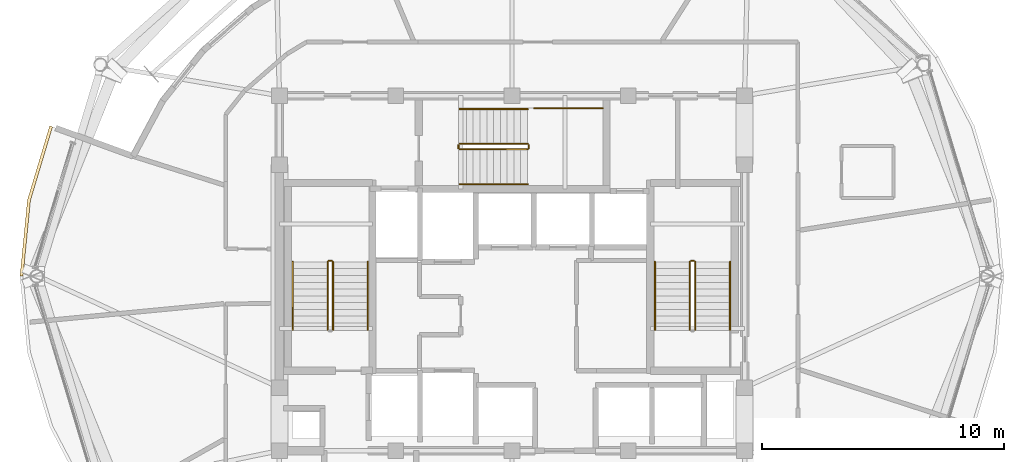
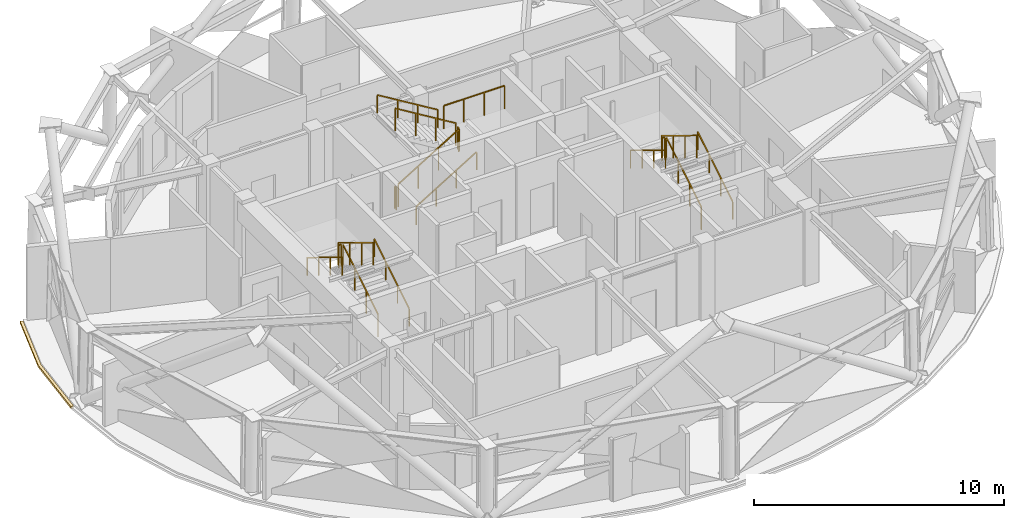
# One storey, part 14 of 15: 17 railings, 1 covering.
"""IFC4 building model written with IfcOpenShell, lengths in metres."""

from ifc_helpers import new_model, si_unit, direction, frame, origin, origin_2d, place, context, subcontext, project, spatial, polyline, rectangle, outline, extrude, material, layer, layer_set, type_object, element, save


model = new_model("IFC4")

# Units and contexts
model_context = context("Model", 3, precision=1e-05, world=origin(), true_north=direction((0.0, 1.0)))
body_context = subcontext(model_context, "Body", "Model", "MODEL_VIEW")
ifc_project = project(units=[si_unit("LENGTHUNIT", "METRE"), si_unit("AREAUNIT", "SQUARE_METRE"), si_unit("VOLUMEUNIT", "CUBIC_METRE"), si_unit("PLANEANGLEUNIT", "RADIAN"), si_unit("MASSUNIT", "GRAM", prefix="KILO")], contexts=[model_context])

# Site, building, storey
site_placement = place(None, origin())
site = spatial("IfcSite", under=ifc_project, at=site_placement, CompositionType="ELEMENT")
building_placement = place(site_placement, origin())
building = spatial("IfcBuilding", under=site, at=building_placement, Name="Vantalir Tower", CompositionType="ELEMENT")
storey_placement = place(building_placement, frame((0.0, 0.0, 275.10009765625)))
storey = spatial("IfcBuildingStorey", under=building, at=storey_placement, Name="L69", CompositionType="ELEMENT", Elevation=275.10009765625)

# Covering
ifc_material_1 = material(Name="Anodised champagne aluminium sill fascia", Category="aluminium")
ifc_layer = layer(ifc_material_1, 0.125)
ifc_layer_set = layer_set([ifc_layer], Name="Anodised champagne aluminium sill fascia")
covering_type = type_object("IfcCoveringType", Name="COV-SLAB-FASCIA-125", PredefinedType="CLADDING", material=ifc_layer_set)
covering_placement = place(storey_placement, frame((0.0, 0.0, -0.18017578125)))
element("IfcCovering", 1, at=covering_placement, inside=storey, type_object=covering_type, Name="L69 Perimeter Slab-Edge Sill Fascia 06", PredefinedType="CLADDING", context=body_context, shape_type="SweptSolid", body=[
    extrude(outline(polyline([(12.419921875, 31.205078125), (11.5029296875, 28.14990234375), (11.195068359375, 25.0), (11.320068359375, 25.0), (11.626953125, 28.12890625), (12.537109375, 31.1630859375), (12.419921875, 31.205078125)])), origin(), (0.0, 0.0, 1.0), 0.10498046875),
])

# Railings
ifc_material_2 = material(Name="Anodised aluminium and stainless steel guard", Category="steel")
railing_type_1 = type_object("IfcRailingType", Name="RAL-GUARD-1120", PredefinedType="GUARDRAIL", material=ifc_material_2)
railing_1_placement = place(storey_placement, frame((24.110107421875, 22.7900390625, 0.17041015625)))
element("IfcRailing", 2, at=railing_1_placement, inside=storey, type_object=railing_type_1, Name="L69 ST1 stair guard 1", PredefinedType="GUARDRAIL", context=body_context, shape_type="SweptSolid", body=[
    extrude(rectangle(XDim=0.048095703125, YDim=0.048095703125, at=origin_2d()), frame((0.0, 0.0, 1.09619140625), z_axis=(0.0, 0.854169791009, 0.51999420009), x_axis=(-1.0, 0.0, 0.0)), (0.0, 0.0, 1.0), 3.278076171875),
    extrude(rectangle(XDim=0.0419921875, YDim=0.0419921875, at=origin_2d()), origin(), (0.0, 0.0, 1.0), 1.072021484375),
    extrude(rectangle(XDim=0.0419921875, YDim=0.0419921875, at=origin_2d()), frame((0.0, 0.933349609375, 0.568115234375)), (0.0, 0.0, 1.0), 1.072021484375),
    extrude(rectangle(XDim=0.0419921875, YDim=0.0419921875, at=origin_2d()), frame((0.0, 1.86669921875, 1.136474609375)), (0.0, 0.0, 1.0), 1.072021484375),
    extrude(rectangle(XDim=0.0419921875, YDim=0.0419921875, at=origin_2d()), frame((0.0, 2.800048828125, 1.70458984375)), (0.0, 0.0, 1.0), 1.072021484375),
])
railing_2_placement = place(storey_placement, frame((24.06005859375, 25.639892578125, 1.875)))
element("IfcRailing", 3, at=railing_2_placement, inside=storey, type_object=railing_type_1, Name="L69 ST1 stair guard 2", PredefinedType="GUARDRAIL", context=body_context, shape_type="SweptSolid", body=[
    extrude(rectangle(XDim=0.048095703125, YDim=0.048095703125, at=origin_2d()), frame((0.0, 0.0, 1.09619140625), z_axis=(-1.0, 0.0, 0.0), x_axis=(0.0, -1.0, 0.0)), (0.0, 0.0, 1.0), 0.1201171875),
    extrude(rectangle(XDim=0.0419921875, YDim=0.0419921875, at=origin_2d()), origin(), (0.0, 0.0, 1.0), 1.072021484375),
    extrude(rectangle(XDim=0.0419921875, YDim=0.0419921875, at=origin_2d()), frame((-0.1201171875, 0.0, 0.0)), (0.0, 0.0, 1.0), 1.072021484375),
])
railing_3_placement = place(storey_placement, frame((23.889892578125, 25.590087890625, 2.04541015625)))
element("IfcRailing", 4, at=railing_3_placement, inside=storey, type_object=railing_type_1, Name="L69 ST1 stair guard 3", PredefinedType="GUARDRAIL", context=body_context, shape_type="SweptSolid", body=[
    extrude(rectangle(XDim=0.048095703125, YDim=0.048095703125, at=origin_2d()), frame((0.0, 0.0, 1.09619140625), z_axis=(0.0, -0.854169791009, 0.51999420009), x_axis=(1.0, 0.0, 0.0)), (0.0, 0.0, 1.0), 3.278076171875),
    extrude(rectangle(XDim=0.0419921875, YDim=0.0419921875, at=origin_2d()), origin(), (0.0, 0.0, 1.0), 1.072021484375),
    extrude(rectangle(XDim=0.0419921875, YDim=0.0419921875, at=origin_2d()), frame((0.0, -0.933349609375, 0.568115234375)), (0.0, 0.0, 1.0), 1.072021484375),
    extrude(rectangle(XDim=0.0419921875, YDim=0.0419921875, at=origin_2d()), frame((0.0, -1.86669921875, 1.136474609375)), (0.0, 0.0, 1.0), 1.072021484375),
    extrude(rectangle(XDim=0.0419921875, YDim=0.0419921875, at=origin_2d()), frame((0.0, -2.800048828125, 1.70458984375)), (0.0, 0.0, 1.0), 1.072021484375),
])
railing_4_placement = place(storey_placement, frame((39.06005859375, 22.7900390625, 0.17041015625)))
element("IfcRailing", 5, at=railing_4_placement, inside=storey, type_object=railing_type_1, Name="L69 ST2 stair guard 1", PredefinedType="GUARDRAIL", context=body_context, shape_type="SweptSolid", body=[
    extrude(rectangle(XDim=0.048095703125, YDim=0.048095703125, at=origin_2d()), frame((0.0, 0.0, 1.09619140625), z_axis=(0.0, 0.854169791009, 0.51999420009), x_axis=(-1.0, 0.0, 0.0)), (0.0, 0.0, 1.0), 3.278076171875),
    extrude(rectangle(XDim=0.0419921875, YDim=0.0419921875, at=origin_2d()), origin(), (0.0, 0.0, 1.0), 1.072021484375),
    extrude(rectangle(XDim=0.0419921875, YDim=0.0419921875, at=origin_2d()), frame((0.0, 0.933349609375, 0.568115234375)), (0.0, 0.0, 1.0), 1.072021484375),
    extrude(rectangle(XDim=0.0419921875, YDim=0.0419921875, at=origin_2d()), frame((0.0, 1.86669921875, 1.136474609375)), (0.0, 0.0, 1.0), 1.072021484375),
    extrude(rectangle(XDim=0.0419921875, YDim=0.0419921875, at=origin_2d()), frame((0.0, 2.800048828125, 1.70458984375)), (0.0, 0.0, 1.0), 1.072021484375),
])
railing_5_placement = place(storey_placement, frame((39.010009765625, 25.639892578125, 1.875)))
element("IfcRailing", 6, at=railing_5_placement, inside=storey, type_object=railing_type_1, Name="L69 ST2 stair guard 2", PredefinedType="GUARDRAIL", context=body_context, shape_type="SweptSolid", body=[
    extrude(rectangle(XDim=0.048095703125, YDim=0.048095703125, at=origin_2d()), frame((0.0, 0.0, 1.09619140625), z_axis=(-1.0, 0.0, 0.0), x_axis=(0.0, -1.0, 0.0)), (0.0, 0.0, 1.0), 0.1201171875),
    extrude(rectangle(XDim=0.0419921875, YDim=0.0419921875, at=origin_2d()), origin(), (0.0, 0.0, 1.0), 1.072021484375),
    extrude(rectangle(XDim=0.0419921875, YDim=0.0419921875, at=origin_2d()), frame((-0.1201171875, 0.0, 0.0)), (0.0, 0.0, 1.0), 1.072021484375),
])
railing_6_placement = place(storey_placement, frame((38.840087890625, 25.590087890625, 2.04541015625)))
element("IfcRailing", 7, at=railing_6_placement, inside=storey, type_object=railing_type_1, Name="L69 ST2 stair guard 3", PredefinedType="GUARDRAIL", context=body_context, shape_type="SweptSolid", body=[
    extrude(rectangle(XDim=0.048095703125, YDim=0.048095703125, at=origin_2d()), frame((0.0, 0.0, 1.09619140625), z_axis=(0.0, -0.854169791009, 0.51999420009), x_axis=(1.0, 0.0, 0.0)), (0.0, 0.0, 1.0), 3.278076171875),
    extrude(rectangle(XDim=0.0419921875, YDim=0.0419921875, at=origin_2d()), origin(), (0.0, 0.0, 1.0), 1.072021484375),
    extrude(rectangle(XDim=0.0419921875, YDim=0.0419921875, at=origin_2d()), frame((0.0, -0.933349609375, 0.568115234375)), (0.0, 0.0, 1.0), 1.072021484375),
    extrude(rectangle(XDim=0.0419921875, YDim=0.0419921875, at=origin_2d()), frame((0.0, -1.86669921875, 1.136474609375)), (0.0, 0.0, 1.0), 1.072021484375),
    extrude(rectangle(XDim=0.0419921875, YDim=0.0419921875, at=origin_2d()), frame((0.0, -2.800048828125, 1.70458984375)), (0.0, 0.0, 1.0), 1.072021484375),
])
railing_7_placement = place(storey_placement, frame((29.340087890625, 30.239990234375, 0.17041015625)))
element("IfcRailing", 8, at=railing_7_placement, inside=storey, type_object=railing_type_1, Name="L69 ST3 stair guard 1", PredefinedType="GUARDRAIL", context=body_context, shape_type="SweptSolid", body=[
    extrude(rectangle(XDim=0.048095703125, YDim=0.048095703125, at=origin_2d()), frame((0.0, 0.0, 1.09619140625), z_axis=(0.854149651119, 0.0, 0.520027281489), x_axis=(0.0, 1.0, 0.0)), (0.0, 0.0, 1.0), 3.27783203125),
    extrude(rectangle(XDim=0.0419921875, YDim=0.0419921875, at=origin_2d()), origin(), (0.0, 0.0, 1.0), 1.072021484375),
    extrude(rectangle(XDim=0.0419921875, YDim=0.0419921875, at=origin_2d()), frame((0.933349609375, 0.0, 0.568115234375)), (0.0, 0.0, 1.0), 1.072021484375),
    extrude(rectangle(XDim=0.0419921875, YDim=0.0419921875, at=origin_2d()), frame((1.866455078125, 0.0, 1.136474609375)), (0.0, 0.0, 1.0), 1.072021484375),
    extrude(rectangle(XDim=0.0419921875, YDim=0.0419921875, at=origin_2d()), frame((2.7998046875, 0.0, 1.70458984375)), (0.0, 0.0, 1.0), 1.072021484375),
])
railing_8_placement = place(storey_placement, frame((32.18994140625, 30.2900390625, 1.875)))
element("IfcRailing", 9, at=railing_8_placement, inside=storey, type_object=railing_type_1, Name="L69 ST3 stair guard 2", PredefinedType="GUARDRAIL", context=body_context, shape_type="SweptSolid", body=[
    extrude(rectangle(XDim=0.048095703125, YDim=0.048095703125, at=origin_2d()), frame((0.0, 0.0, 1.09619140625), z_axis=(0.0, 1.0, 0.0), x_axis=(-1.0, 0.0, 0.0)), (0.0, 0.0, 1.0), 0.119873046875),
    extrude(rectangle(XDim=0.0419921875, YDim=0.0419921875, at=origin_2d()), origin(), (0.0, 0.0, 1.0), 1.072021484375),
    extrude(rectangle(XDim=0.0419921875, YDim=0.0419921875, at=origin_2d()), frame((0.0, 0.119873046875, 0.0)), (0.0, 0.0, 1.0), 1.072021484375),
])
railing_9_placement = place(storey_placement, frame((32.139892578125, 30.4599609375, 2.04541015625)))
element("IfcRailing", 10, at=railing_9_placement, inside=storey, type_object=railing_type_1, Name="L69 ST3 stair guard 3", PredefinedType="GUARDRAIL", context=body_context, shape_type="SweptSolid", body=[
    extrude(rectangle(XDim=0.048095703125, YDim=0.048095703125, at=origin_2d()), frame((0.0, 0.0, 1.09619140625), z_axis=(-0.854149651119, 0.0, 0.520027281489), x_axis=(0.0, -1.0, 0.0)), (0.0, 0.0, 1.0), 3.27783203125),
    extrude(rectangle(XDim=0.0419921875, YDim=0.0419921875, at=origin_2d()), origin(), (0.0, 0.0, 1.0), 1.072021484375),
    extrude(rectangle(XDim=0.0419921875, YDim=0.0419921875, at=origin_2d()), frame((-0.933349609375, 0.0, 0.568115234375)), (0.0, 0.0, 1.0), 1.072021484375),
    extrude(rectangle(XDim=0.0419921875, YDim=0.0419921875, at=origin_2d()), frame((-1.866455078125, 0.0, 1.136474609375)), (0.0, 0.0, 1.0), 1.072021484375),
    extrude(rectangle(XDim=0.0419921875, YDim=0.0419921875, at=origin_2d()), frame((-2.7998046875, 0.0, 1.70458984375)), (0.0, 0.0, 1.0), 1.072021484375),
])
railing_10_placement = place(storey_placement, frame((29.2900390625, 30.2900390625, 0.0)))
element("IfcRailing", 11, at=railing_10_placement, inside=storey, type_object=railing_type_1, Name="L69 ST3 stair guard 4", PredefinedType="GUARDRAIL", context=body_context, shape_type="SweptSolid", body=[
    extrude(rectangle(XDim=0.048095703125, YDim=0.048095703125, at=origin_2d()), frame((0.0, 0.0, 1.09619140625), z_axis=(0.0, 1.0, 0.0), x_axis=(-1.0, 0.0, 0.0)), (0.0, 0.0, 1.0), 0.119873046875),
    extrude(rectangle(XDim=0.0419921875, YDim=0.0419921875, at=origin_2d()), origin(), (0.0, 0.0, 1.0), 1.072021484375),
    extrude(rectangle(XDim=0.0419921875, YDim=0.0419921875, at=origin_2d()), frame((0.0, 0.119873046875, 0.0)), (0.0, 0.0, 1.0), 1.072021484375),
])
railing_11_placement = place(storey_placement, frame((32.419921875, 31.929931640625, 1.875)))
element("IfcRailing", 12, at=railing_11_placement, inside=storey, type_object=railing_type_1, Name="L69 Stair ST3 Half-Landing Slot Guard", PredefinedType="GUARDRAIL", context=body_context, shape_type="SweptSolid", body=[
    extrude(rectangle(XDim=0.048095703125, YDim=0.048095703125, at=origin_2d()), frame((0.0, 0.0, 1.1259765625), z_axis=(1.0, 0.0, 0.0), x_axis=(0.0, 1.0, 0.0)), (0.0, 0.0, 1.0), 2.820068359375),
    extrude(rectangle(XDim=0.0419921875, YDim=0.0419921875, at=origin_2d()), origin(), (0.0, 0.0, 1.0), 1.101806640625),
    extrude(rectangle(XDim=0.0419921875, YDim=0.0419921875, at=origin_2d()), frame((0.93994140625, 0.0, 0.0)), (0.0, 0.0, 1.0), 1.101806640625),
    extrude(rectangle(XDim=0.0419921875, YDim=0.0419921875, at=origin_2d()), frame((1.880126953125, 0.0, 0.0)), (0.0, 0.0, 1.0), 1.101806640625),
    extrude(rectangle(XDim=0.0419921875, YDim=0.0419921875, at=origin_2d()), frame((2.820068359375, 0.0, 0.0)), (0.0, 0.0, 1.0), 1.101806640625),
])
ifc_material_3 = material(Name="Brushed stainless steel tubular handrail", Category="steel")
railing_type_2 = type_object("IfcRailingType", Name="RAL-HANDRAIL-900", PredefinedType="HANDRAIL", material=ifc_material_3)
railing_12_placement = place(storey_placement, frame((25.550048828125, 22.7900390625, 0.17041015625)))
element("IfcRailing", 13, at=railing_12_placement, inside=storey, type_object=railing_type_2, Name="L69 ST1 stair handrail 1", PredefinedType="HANDRAIL", context=body_context, shape_type="SweptSolid", body=[
    extrude(rectangle(XDim=0.048095703125, YDim=0.048095703125, at=origin_2d()), frame((0.0, 0.0, 0.8759765625), z_axis=(0.0, 0.854169791009, 0.51999420009), x_axis=(-1.0, 0.0, 0.0)), (0.0, 0.0, 1.0), 3.278076171875),
    extrude(rectangle(XDim=0.0419921875, YDim=0.0419921875, at=origin_2d()), origin(), (0.0, 0.0, 1.0), 0.851806640625),
    extrude(rectangle(XDim=0.0419921875, YDim=0.0419921875, at=origin_2d()), frame((0.0, 0.933349609375, 0.568115234375)), (0.0, 0.0, 1.0), 0.851806640625),
    extrude(rectangle(XDim=0.0419921875, YDim=0.0419921875, at=origin_2d()), frame((0.0, 1.86669921875, 1.136474609375)), (0.0, 0.0, 1.0), 0.851806640625),
    extrude(rectangle(XDim=0.0419921875, YDim=0.0419921875, at=origin_2d()), frame((0.0, 2.800048828125, 1.70458984375)), (0.0, 0.0, 1.0), 0.851806640625),
])
railing_13_placement = place(storey_placement, frame((22.449951171875, 25.590087890625, 2.04541015625)))
element("IfcRailing", 14, at=railing_13_placement, inside=storey, type_object=railing_type_2, Name="L69 ST1 stair handrail 2", PredefinedType="HANDRAIL", context=body_context, shape_type="SweptSolid", body=[
    extrude(rectangle(XDim=0.048095703125, YDim=0.048095703125, at=origin_2d()), frame((0.0, 0.0, 0.8759765625), z_axis=(0.0, -0.854169791009, 0.51999420009), x_axis=(1.0, 0.0, 0.0)), (0.0, 0.0, 1.0), 3.278076171875),
    extrude(rectangle(XDim=0.0419921875, YDim=0.0419921875, at=origin_2d()), origin(), (0.0, 0.0, 1.0), 0.851806640625),
    extrude(rectangle(XDim=0.0419921875, YDim=0.0419921875, at=origin_2d()), frame((0.0, -0.933349609375, 0.568115234375)), (0.0, 0.0, 1.0), 0.851806640625),
    extrude(rectangle(XDim=0.0419921875, YDim=0.0419921875, at=origin_2d()), frame((0.0, -1.86669921875, 1.136474609375)), (0.0, 0.0, 1.0), 0.851806640625),
    extrude(rectangle(XDim=0.0419921875, YDim=0.0419921875, at=origin_2d()), frame((0.0, -2.800048828125, 1.70458984375)), (0.0, 0.0, 1.0), 0.851806640625),
])
railing_14_placement = place(storey_placement, frame((40.5, 22.7900390625, 0.17041015625)))
element("IfcRailing", 15, at=railing_14_placement, inside=storey, type_object=railing_type_2, Name="L69 ST2 stair handrail 1", PredefinedType="HANDRAIL", context=body_context, shape_type="SweptSolid", body=[
    extrude(rectangle(XDim=0.048095703125, YDim=0.048095703125, at=origin_2d()), frame((0.0, 0.0, 0.8759765625), z_axis=(0.0, 0.854169791009, 0.51999420009), x_axis=(-1.0, 0.0, 0.0)), (0.0, 0.0, 1.0), 3.278076171875),
    extrude(rectangle(XDim=0.0419921875, YDim=0.0419921875, at=origin_2d()), origin(), (0.0, 0.0, 1.0), 0.851806640625),
    extrude(rectangle(XDim=0.0419921875, YDim=0.0419921875, at=origin_2d()), frame((0.0, 0.933349609375, 0.568115234375)), (0.0, 0.0, 1.0), 0.851806640625),
    extrude(rectangle(XDim=0.0419921875, YDim=0.0419921875, at=origin_2d()), frame((0.0, 1.86669921875, 1.136474609375)), (0.0, 0.0, 1.0), 0.851806640625),
    extrude(rectangle(XDim=0.0419921875, YDim=0.0419921875, at=origin_2d()), frame((0.0, 2.800048828125, 1.70458984375)), (0.0, 0.0, 1.0), 0.851806640625),
])
railing_15_placement = place(storey_placement, frame((37.39990234375, 25.590087890625, 2.04541015625)))
element("IfcRailing", 16, at=railing_15_placement, inside=storey, type_object=railing_type_2, Name="L69 ST2 stair handrail 2", PredefinedType="HANDRAIL", context=body_context, shape_type="SweptSolid", body=[
    extrude(rectangle(XDim=0.048095703125, YDim=0.048095703125, at=origin_2d()), frame((0.0, 0.0, 0.8759765625), z_axis=(0.0, -0.854169791009, 0.51999420009), x_axis=(1.0, 0.0, 0.0)), (0.0, 0.0, 1.0), 3.278076171875),
    extrude(rectangle(XDim=0.0419921875, YDim=0.0419921875, at=origin_2d()), origin(), (0.0, 0.0, 1.0), 0.851806640625),
    extrude(rectangle(XDim=0.0419921875, YDim=0.0419921875, at=origin_2d()), frame((0.0, -0.933349609375, 0.568115234375)), (0.0, 0.0, 1.0), 0.851806640625),
    extrude(rectangle(XDim=0.0419921875, YDim=0.0419921875, at=origin_2d()), frame((0.0, -1.86669921875, 1.136474609375)), (0.0, 0.0, 1.0), 0.851806640625),
    extrude(rectangle(XDim=0.0419921875, YDim=0.0419921875, at=origin_2d()), frame((0.0, -2.800048828125, 1.70458984375)), (0.0, 0.0, 1.0), 0.851806640625),
])
railing_16_placement = place(storey_placement, frame((29.340087890625, 28.800048828125, 0.17041015625)))
element("IfcRailing", 17, at=railing_16_placement, inside=storey, type_object=railing_type_2, Name="L69 ST3 stair handrail 1", PredefinedType="HANDRAIL", context=body_context, shape_type="SweptSolid", body=[
    extrude(rectangle(XDim=0.048095703125, YDim=0.048095703125, at=origin_2d()), frame((0.0, 0.0, 0.8759765625), z_axis=(0.854149651119, 0.0, 0.520027281489), x_axis=(0.0, 1.0, 0.0)), (0.0, 0.0, 1.0), 3.27783203125),
    extrude(rectangle(XDim=0.0419921875, YDim=0.0419921875, at=origin_2d()), origin(), (0.0, 0.0, 1.0), 0.851806640625),
    extrude(rectangle(XDim=0.0419921875, YDim=0.0419921875, at=origin_2d()), frame((0.933349609375, 0.0, 0.568115234375)), (0.0, 0.0, 1.0), 0.851806640625),
    extrude(rectangle(XDim=0.0419921875, YDim=0.0419921875, at=origin_2d()), frame((1.866455078125, 0.0, 1.136474609375)), (0.0, 0.0, 1.0), 0.851806640625),
    extrude(rectangle(XDim=0.0419921875, YDim=0.0419921875, at=origin_2d()), frame((2.7998046875, 0.0, 1.70458984375)), (0.0, 0.0, 1.0), 0.851806640625),
])
railing_17_placement = place(storey_placement, frame((32.139892578125, 31.89990234375, 2.04541015625)))
element("IfcRailing", 18, at=railing_17_placement, inside=storey, type_object=railing_type_2, Name="L69 ST3 stair handrail 2", PredefinedType="HANDRAIL", context=body_context, shape_type="SweptSolid", body=[
    extrude(rectangle(XDim=0.048095703125, YDim=0.048095703125, at=origin_2d()), frame((0.0, 0.0, 0.8759765625), z_axis=(-0.854149651119, 0.0, 0.520027281489), x_axis=(0.0, -1.0, 0.0)), (0.0, 0.0, 1.0), 3.27783203125),
    extrude(rectangle(XDim=0.0419921875, YDim=0.0419921875, at=origin_2d()), origin(), (0.0, 0.0, 1.0), 0.851806640625),
    extrude(rectangle(XDim=0.0419921875, YDim=0.0419921875, at=origin_2d()), frame((-0.933349609375, 0.0, 0.568115234375)), (0.0, 0.0, 1.0), 0.851806640625),
    extrude(rectangle(XDim=0.0419921875, YDim=0.0419921875, at=origin_2d()), frame((-1.866455078125, 0.0, 1.136474609375)), (0.0, 0.0, 1.0), 0.851806640625),
    extrude(rectangle(XDim=0.0419921875, YDim=0.0419921875, at=origin_2d()), frame((-2.7998046875, 0.0, 1.70458984375)), (0.0, 0.0, 1.0), 0.851806640625),
])

save(model, "model.ifc")
